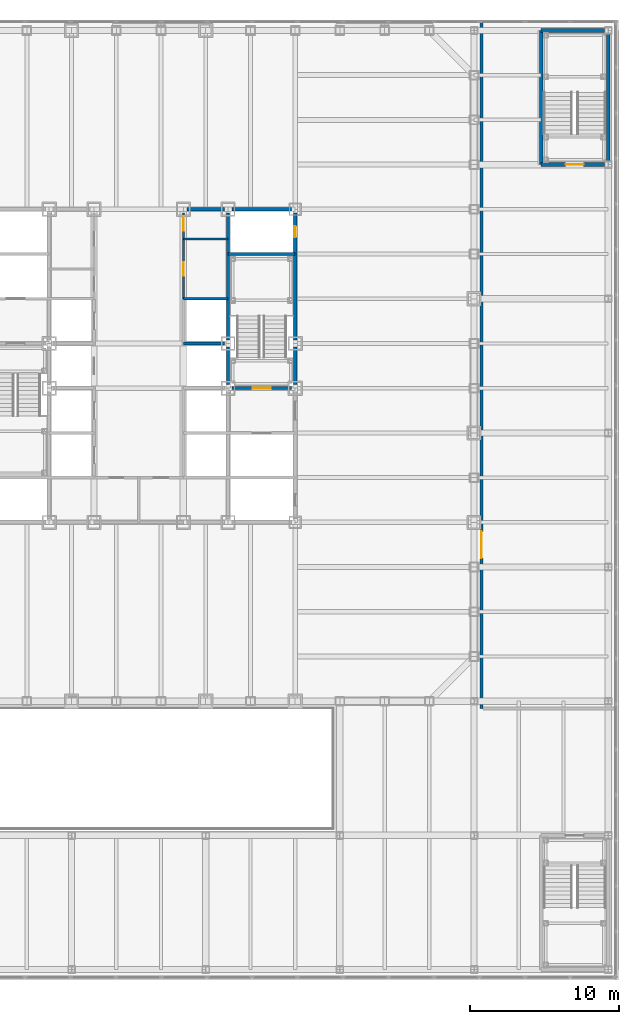
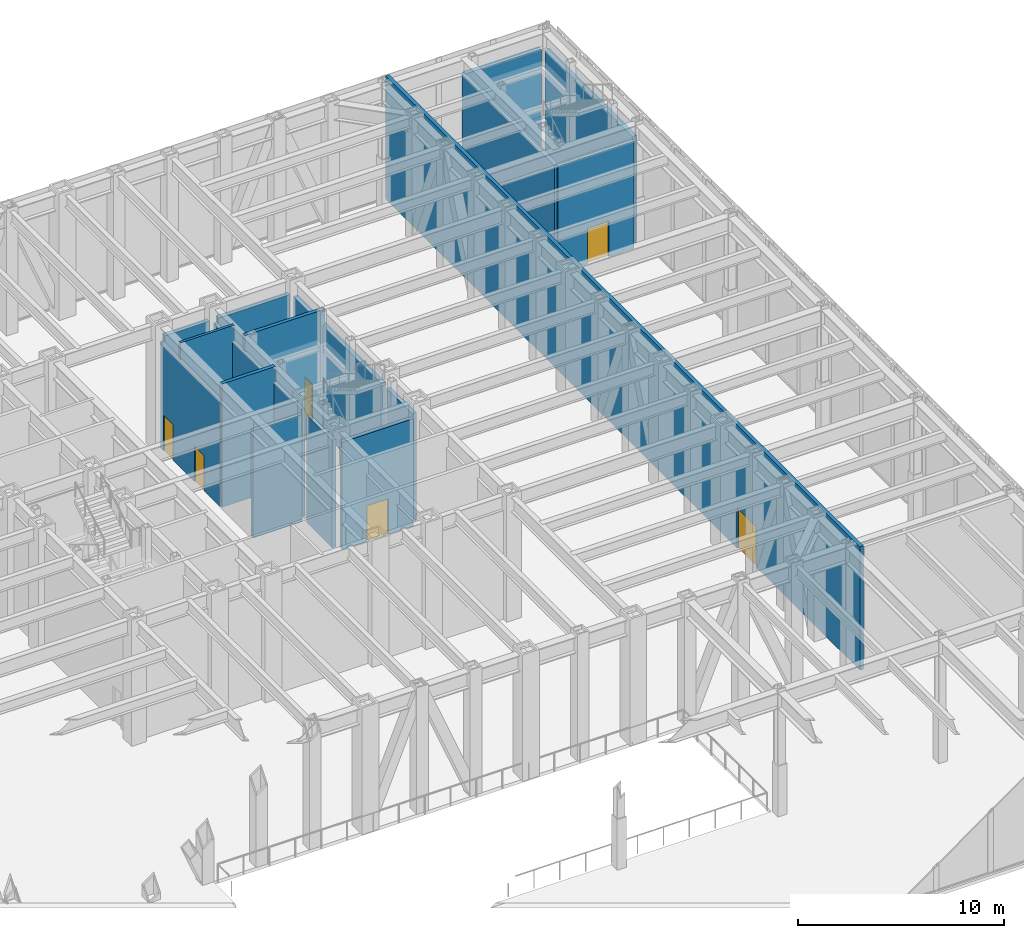
# One storey, part 17 of 34: 17 walls, 6 doors, 6 openings.
"""IFC4 building model written with IfcOpenShell, lengths in metres."""

from ifc_helpers import new_model, si_unit, direction, frame, frame_2d, origin, place, context, subcontext, project, spatial, rectangle, extrude, material, layer, layer_set, type_object, element, fill, save


model = new_model("IFC4")

# Units and contexts
model_context = context("Model", 3, precision=1e-05, world=origin(), true_north=direction((0.0, 1.0)))
body_context = subcontext(model_context, "Body", "Model", "MODEL_VIEW")
ifc_project = project(units=[si_unit("LENGTHUNIT", "METRE"), si_unit("AREAUNIT", "SQUARE_METRE"), si_unit("VOLUMEUNIT", "CUBIC_METRE"), si_unit("PLANEANGLEUNIT", "RADIAN"), si_unit("MASSUNIT", "GRAM", prefix="KILO")], contexts=[model_context])

# Site, building, storey
site_placement = place(None, origin())
site = spatial("IfcSite", under=ifc_project, at=site_placement, CompositionType="ELEMENT")
building_placement = place(site_placement, origin())
building = spatial("IfcBuilding", under=site, at=building_placement, Name="Chuquiago Exchange Tower", CompositionType="ELEMENT")
storey_placement = place(building_placement, frame((0.0, 0.0, 6.0)))
storey = spatial("IfcBuildingStorey", under=building, at=storey_placement, Name="L01", CompositionType="ELEMENT", Elevation=6.0)

# Walls
ifc_material_1 = material(Name="Concrete masonry, fully grouted", Category="masonry")
ifc_layer_1 = layer(ifc_material_1, 0.25)
ifc_layer_set_1 = layer_set([ifc_layer_1], Name="W1 core wall 250")
wall_type_1 = type_object("IfcWallType", Name="W1 core wall 250", PredefinedType="SOLIDWALL", material=ifc_layer_set_1)
wall_1_placement = place(storey_placement, frame((25.75, 33.0, 0.0), z_axis=(0.0, 0.0, 1.0), x_axis=(1.0, 0.0, 0.0)))
element("IfcWall", 1, at=wall_1_placement, inside=storey, type_object=wall_type_1, Name="CW-L01-12-0", PredefinedType="SOLIDWALL", context=body_context, shape_type="SweptSolid", body=[
    extrude(rectangle(XDim=2.5, YDim=0.25, at=frame_2d((1.25, 0.0))), origin(), (0.0, 0.0, 1.0), 6.44140625),
])
wall_2_placement = place(storey_placement, frame((28.75, 33.0, 0.0), z_axis=(0.0, 0.0, 1.0), x_axis=(1.0, 0.0, 0.0)))
element("IfcWall", 2, at=wall_2_placement, inside=storey, type_object=wall_type_1, Name="CW-L01-12-1", PredefinedType="SOLIDWALL", context=body_context, shape_type="SweptSolid", body=[
    extrude(rectangle(XDim=4.0, YDim=0.25, at=frame_2d((2.0, 0.0))), origin(), (0.0, 0.0, 1.0), 6.44140625),
])
wall_3_placement = place(storey_placement, frame((33.0, 21.25, 0.0), z_axis=(0.0, 0.0, 1.0), x_axis=(0.0, 1.0, 0.0)))
element("IfcWall", 3, at=wall_3_placement, inside=storey, type_object=wall_type_1, Name="CW-L01-25-1", PredefinedType="SOLIDWALL", context=body_context, shape_type="SweptSolid", body=[
    extrude(rectangle(XDim=2.5, YDim=0.25, at=frame_2d((1.25, 0.0))), origin(), (0.0, 0.0, 1.0), 6.372802734375),
])

# Wall, opening, door
wall_4_placement = place(storey_placement, frame((33.0, 24.25, 0.0), z_axis=(0.0, 0.0, 1.0), x_axis=(0.0, 1.0, 0.0)))
wall_4 = element("IfcWall", 4, at=wall_4_placement, inside=storey, type_object=wall_type_1, Name="CW-L01-25-2", PredefinedType="SOLIDWALL", context=body_context, shape_type="SweptSolid", body=[
    extrude(rectangle(XDim=8.5, YDim=0.25, at=frame_2d((4.25, 0.0))), origin(), (0.0, 0.0, 1.0), 6.372802734375),
])
opening_1_placement = place(wall_4_placement, frame((6.875, 0.0, 0.0)))
opening_1 = element("IfcOpeningElement", 5, at=opening_1_placement, cuts=wall_4, Name="Opening L01-010", PredefinedType="OPENING", context=body_context, shape_type="SweptSolid", body=[
    extrude(rectangle(XDim=0.75, YDim=2.10009765625, at=frame_2d((0.375, 1.050048828125))), frame((0.0, 0.135009765625, 0.0), z_axis=(0.0, -1.0, 0.0), x_axis=(1.0, 0.0, 0.0)), (0.0, 0.0, 1.0), 0.27001953125),
])
ifc_material_2 = material(Name="Steel door, painted", Category="steel")
door_type_1 = type_object("IfcDoorType", Name="D6 riser access door 750x2100", OperationType="SINGLE_SWING_LEFT", PredefinedType="DOOR", material=ifc_material_2)
door_1_placement = place(opening_1_placement, frame((0.75, 0.0, 0.0), z_axis=(0.0, 0.0, 1.0), x_axis=(-1.0, 0.0, 0.0)))
door_1 = element("IfcDoor", 6, at=door_1_placement, inside=storey, type_object=door_type_1, Name="Riser RE2 door", OperationType="SINGLE_SWING_LEFT", OverallHeight=2.10009765625, OverallWidth=0.75, PredefinedType="DOOR", context=body_context, shape_type="SweptSolid", body=[
    extrude(rectangle(XDim=0.75, YDim=2.10009765625, at=frame_2d((0.375, 1.050048828125))), frame((0.0, 0.02490234375, 0.0), z_axis=(0.0, -1.0, 0.0), x_axis=(1.0, 0.0, 0.0)), (0.0, 0.0, 1.0), 0.050048828125),
])
fill(opening_1, door_1)

ifc_material_3 = material(Name="Concrete masonry, fully grouted", Category="masonry")
ifc_layer_2 = layer(ifc_material_3, 0.25)
ifc_layer_set_2 = layer_set([ifc_layer_2], Name="W10 podium stair wall 250")
wall_type_2 = type_object("IfcWallType", Name="W10 podium stair wall 250", PredefinedType="SOLIDWALL", material=ifc_layer_set_2)
wall_5_placement = place(storey_placement, frame((49.5, 36.0, 0.0), z_axis=(0.0, 0.0, 1.0), x_axis=(1.0, 0.0, 0.0)))
wall_5 = element("IfcWall", 7, at=wall_5_placement, inside=storey, type_object=wall_type_2, Name="PSW-L01-PS4-00", PredefinedType="SOLIDWALL", context=body_context, shape_type="SweptSolid", body=[
    extrude(rectangle(XDim=4.25, YDim=0.25, at=frame_2d((2.125, 0.0))), origin(), (0.0, 0.0, 1.0), 6.3525390625),
])
opening_2_placement = place(wall_5_placement, frame((1.64990234375, 0.0, 0.0)))
opening_2 = element("IfcOpeningElement", 8, at=opening_2_placement, cuts=wall_5, Name="Opening L01-026", PredefinedType="OPENING", context=body_context, shape_type="SweptSolid", body=[
    extrude(rectangle(XDim=1.199951171875, YDim=2.10009765625, at=frame_2d((0.60009765625, 1.050048828125))), frame((0.0, 0.135009765625, 0.0), z_axis=(0.0, -1.0, 0.0), x_axis=(1.0, 0.0, 0.0)), (0.0, 0.0, 1.0), 0.27001953125),
])
ifc_material_4 = material(Name="Steel door, painted", Category="steel")
door_type_2 = type_object("IfcDoorType", Name="D4 stair door 1200x2100", OperationType="SINGLE_SWING_LEFT", PredefinedType="DOOR", material=ifc_material_4)
door_2_placement = place(opening_2_placement, origin())
door_2 = element("IfcDoor", 9, at=door_2_placement, inside=storey, type_object=door_type_2, Name="Stair PS4 door", OperationType="SINGLE_SWING_LEFT", OverallHeight=2.10009765625, OverallWidth=1.199951171875, PredefinedType="DOOR", context=body_context, shape_type="SweptSolid", body=[
    extrude(rectangle(XDim=1.199951171875, YDim=2.10009765625, at=frame_2d((0.60009765625, 1.050048828125))), frame((0.0, 0.02490234375, 0.0), z_axis=(0.0, -1.0, 0.0), x_axis=(1.0, 0.0, 0.0)), (0.0, 0.0, 1.0), 0.050048828125),
])
fill(opening_2, door_2)

# Walls
wall_6_placement = place(storey_placement, frame((54.0, 36.25, 0.0), z_axis=(0.0, 0.0, 1.0), x_axis=(0.0, 1.0, 0.0)))
element("IfcWall", 10, at=wall_6_placement, inside=storey, type_object=wall_type_2, Name="PSW-L01-PS4-10", PredefinedType="SOLIDWALL", context=body_context, shape_type="SweptSolid", body=[
    extrude(rectangle(XDim=8.5, YDim=0.25, at=frame_2d((4.25, 0.0))), origin(), (0.0, 0.0, 1.0), 6.3525390625),
])
wall_7_placement = place(storey_placement, frame((49.5, 45.0, 0.0), z_axis=(0.0, 0.0, 1.0), x_axis=(1.0, 0.0, 0.0)))
element("IfcWall", 11, at=wall_7_placement, inside=storey, type_object=wall_type_2, Name="PSW-L01-PS4-20", PredefinedType="SOLIDWALL", context=body_context, shape_type="SweptSolid", body=[
    extrude(rectangle(XDim=4.25, YDim=0.25, at=frame_2d((2.125, 0.0))), origin(), (0.0, 0.0, 1.0), 6.3525390625),
])
wall_8_placement = place(storey_placement, frame((49.5, 36.0, 0.0), z_axis=(0.0, 0.0, 1.0), x_axis=(0.0, 1.0, 0.0)))
element("IfcWall", 12, at=wall_8_placement, inside=storey, type_object=wall_type_2, Name="PSW-L01-PS4-30", PredefinedType="SOLIDWALL", context=body_context, shape_type="SweptSolid", body=[
    extrude(rectangle(XDim=9.0, YDim=0.25, at=frame_2d((4.5, 0.0))), origin(), (0.0, 0.0, 1.0), 6.3525390625),
])
ifc_material_5 = material(Name="Concrete masonry, fully grouted", Category="masonry")
ifc_layer_3 = layer(ifc_material_5, 0.199951171875)
ifc_layer_set_3 = layer_set([ifc_layer_3], Name="W2 shaft wall 200")
wall_type_3 = type_object("IfcWallType", Name="W2 shaft wall 200", PredefinedType="SOLIDWALL", material=ifc_layer_set_3)
wall_9_placement = place(storey_placement, frame((25.5, 24.0, 0.0), z_axis=(0.0, 0.0, 1.0), x_axis=(1.0, 0.0, 0.0)))
element("IfcWall", 13, at=wall_9_placement, inside=storey, type_object=wall_type_3, Name="CW-L01-06-0", PredefinedType="SOLIDWALL", context=body_context, shape_type="SweptSolid", body=[
    extrude(rectangle(XDim=2.75, YDim=0.199951171875, at=frame_2d((1.375, 0.0))), origin(), (0.0, 0.0, 1.0), 6.35009765625),
])
wall_10_placement = place(storey_placement, frame((25.5, 27.0, 0.0), z_axis=(0.0, 0.0, 1.0), x_axis=(1.0, 0.0, 0.0)))
element("IfcWall", 14, at=wall_10_placement, inside=storey, type_object=wall_type_3, Name="CW-L01-08-0", PredefinedType="SOLIDWALL", context=body_context, shape_type="SweptSolid", body=[
    extrude(rectangle(XDim=3.0, YDim=0.199951171875, at=frame_2d((1.5, 0.0))), origin(), (0.0, 0.0, 1.0), 7.300048828125),
])
wall_11_placement = place(storey_placement, frame((28.5, 30.0, 0.0), z_axis=(0.0, 0.0, 1.0), x_axis=(1.0, 0.0, 0.0)))
element("IfcWall", 15, at=wall_11_placement, inside=storey, type_object=wall_type_3, Name="CW-L01-10-0", PredefinedType="SOLIDWALL", context=body_context, shape_type="SweptSolid", body=[
    extrude(rectangle(XDim=4.5, YDim=0.199951171875, at=frame_2d((2.25, 0.0))), origin(), (0.0, 0.0, 1.0), 7.300048828125),
])

# Wall, opening, door
wall_12_placement = place(storey_placement, frame((28.75, 21.0, 0.0), z_axis=(0.0, 0.0, 1.0), x_axis=(1.0, 0.0, 0.0)))
wall_12 = element("IfcWall", 16, at=wall_12_placement, inside=storey, type_object=wall_type_3, Name="CW-L01-17-1", PredefinedType="SOLIDWALL", context=body_context, shape_type="SweptSolid", body=[
    extrude(rectangle(XDim=4.0, YDim=0.199951171875, at=frame_2d((2.0, 0.0))), origin(), (0.0, 0.0, 1.0), 6.35009765625),
])
opening_3_placement = place(wall_12_placement, frame((1.39990234375, 0.0, 0.0)))
opening_3 = element("IfcOpeningElement", 17, at=opening_3_placement, cuts=wall_12, Name="Opening L01-003", PredefinedType="OPENING", context=body_context, shape_type="SweptSolid", body=[
    extrude(rectangle(XDim=1.199951171875, YDim=2.10009765625, at=frame_2d((0.60009765625, 1.050048828125))), frame((0.0, 0.10986328125, 0.0), z_axis=(0.0, -1.0, 0.0), x_axis=(1.0, 0.0, 0.0)), (0.0, 0.0, 1.0), 0.219970703125),
])
door_3_placement = place(opening_3_placement, origin())
door_3 = element("IfcDoor", 18, at=door_3_placement, inside=storey, type_object=door_type_2, Name="Stair ST2 door", OperationType="SINGLE_SWING_LEFT", OverallHeight=2.10009765625, OverallWidth=1.199951171875, PredefinedType="DOOR", context=body_context, shape_type="SweptSolid", body=[
    extrude(rectangle(XDim=1.199951171875, YDim=2.10009765625, at=frame_2d((0.60009765625, 1.050048828125))), frame((0.0, 0.02490234375, 0.0), z_axis=(0.0, -1.0, 0.0), x_axis=(1.0, 0.0, 0.0)), (0.0, 0.0, 1.0), 0.050048828125),
])
fill(opening_3, door_3)

# Walls
wall_13_placement = place(storey_placement, frame((28.5, 21.25, 0.0), z_axis=(0.0, 0.0, 1.0), x_axis=(0.0, 1.0, 0.0)))
element("IfcWall", 19, at=wall_13_placement, inside=storey, type_object=wall_type_3, Name="CW-L01-24-1", PredefinedType="SOLIDWALL", context=body_context, shape_type="SweptSolid", body=[
    extrude(rectangle(XDim=2.5, YDim=0.199951171875, at=frame_2d((1.25, 0.0))), origin(), (0.0, 0.0, 1.0), 6.372802734375),
])
wall_14_placement = place(storey_placement, frame((28.5, 24.25, 0.0), z_axis=(0.0, 0.0, 1.0), x_axis=(0.0, 1.0, 0.0)))
element("IfcWall", 20, at=wall_14_placement, inside=storey, type_object=wall_type_3, Name="CW-L01-24-2", PredefinedType="SOLIDWALL", context=body_context, shape_type="SweptSolid", body=[
    extrude(rectangle(XDim=8.5, YDim=0.199951171875, at=frame_2d((4.25, 0.0))), origin(), (0.0, 0.0, 1.0), 6.372802734375),
])

# Wall, openings, doors
ifc_material_6 = material(Name="Gypsum board on steel studs", Category="steel")
ifc_layer_4 = layer(ifc_material_6, 0.14990234375)
ifc_layer_set_4 = layer_set([ifc_layer_4], Name="W3 core partition 150")
wall_type_4 = type_object("IfcWallType", Name="W3 core partition 150", PredefinedType="PARTITIONING", material=ifc_layer_set_4)
wall_15_placement = place(storey_placement, frame((25.5, 27.0, 0.0), z_axis=(0.0, 0.0, 1.0), x_axis=(0.0, 1.0, 0.0)))
wall_15 = element("IfcWall", 21, at=wall_15_placement, inside=storey, type_object=wall_type_4, Name="CW-L01-23-0", PredefinedType="PARTITIONING", context=body_context, shape_type="SweptSolid", body=[
    extrude(rectangle(XDim=5.75, YDim=0.14990234375, at=frame_2d((2.875, 0.0))), origin(), (0.0, 0.0, 1.0), 6.32470703125),
])
opening_4_placement = place(wall_15_placement, frame((1.550048828125, 0.0, 0.0)))
opening_4 = element("IfcOpeningElement", 22, at=opening_4_placement, cuts=wall_15, Name="Opening L01-013", PredefinedType="OPENING", context=body_context, shape_type="SweptSolid", body=[
    extrude(rectangle(XDim=0.89990234375, YDim=2.10009765625, at=frame_2d((0.449951171875, 1.050048828125))), frame((0.0, 0.0849609375, 0.0), z_axis=(0.0, -1.0, 0.0), x_axis=(1.0, 0.0, 0.0)), (0.0, 0.0, 1.0), 0.169921875),
])
opening_5_placement = place(wall_15_placement, frame((4.550048828125, 0.0, 0.0)))
opening_5 = element("IfcOpeningElement", 23, at=opening_5_placement, cuts=wall_15, Name="Opening L01-014", PredefinedType="OPENING", context=body_context, shape_type="SweptSolid", body=[
    extrude(rectangle(XDim=0.89990234375, YDim=2.10009765625, at=frame_2d((0.449951171875, 1.050048828125))), frame((0.0, 0.0849609375, 0.0), z_axis=(0.0, -1.0, 0.0), x_axis=(1.0, 0.0, 0.0)), (0.0, 0.0, 1.0), 0.169921875),
])
ifc_material_7 = material(Name="Timber door, laminate faced", Category="wood")
door_type_3 = type_object("IfcDoorType", Name="D16 core room door 900x2100", OperationType="SINGLE_SWING_LEFT", PredefinedType="DOOR", material=ifc_material_7)
door_4_placement = place(opening_5_placement, frame((0.89990234375, 0.0, 0.0), z_axis=(0.0, 0.0, 1.0), x_axis=(-1.0, 0.0, 0.0)))
door_4 = element("IfcDoor", 24, at=door_4_placement, inside=storey, type_object=door_type_3, Name="Staff shower room door", OperationType="SINGLE_SWING_LEFT", OverallHeight=2.10009765625, OverallWidth=0.89990234375, PredefinedType="DOOR", context=body_context, shape_type="SweptSolid", body=[
    extrude(rectangle(XDim=0.89990234375, YDim=2.10009765625, at=frame_2d((0.449951171875, 1.050048828125))), frame((0.0, 0.02490234375, 0.0), z_axis=(0.0, -1.0, 0.0), x_axis=(1.0, 0.0, 0.0)), (0.0, 0.0, 1.0), 0.050048828125),
])
fill(opening_5, door_4)
ifc_material_8 = material(Name="Timber door, laminate faced", Category="wood")
door_type_4 = type_object("IfcDoorType", Name="D7 toilet door 900x2100", OperationType="SINGLE_SWING_LEFT", PredefinedType="DOOR", material=ifc_material_8)
door_5_placement = place(opening_4_placement, frame((0.89990234375, 0.0, 0.0), z_axis=(0.0, 0.0, 1.0), x_axis=(-1.0, 0.0, 0.0)))
door_5 = element("IfcDoor", 25, at=door_5_placement, inside=storey, type_object=door_type_4, Name="Female WC door", OperationType="SINGLE_SWING_RIGHT", OverallHeight=2.10009765625, OverallWidth=0.89990234375, PredefinedType="DOOR", context=body_context, shape_type="SweptSolid", body=[
    extrude(rectangle(XDim=0.89990234375, YDim=2.10009765625, at=frame_2d((0.449951171875, 1.050048828125))), frame((0.0, 0.02490234375, 0.0), z_axis=(0.0, -1.0, 0.0), x_axis=(1.0, 0.0, 0.0)), (0.0, 0.0, 1.0), 0.050048828125),
])
fill(opening_4, door_5)

# Wall
wall_16_placement = place(storey_placement, frame((25.5, 31.0, 0.0), z_axis=(0.0, 0.0, 1.0), x_axis=(1.0, 0.0, 0.0)))
element("IfcWall", 26, at=wall_16_placement, inside=storey, type_object=wall_type_4, Name="CW-L01-WCFS", PredefinedType="PARTITIONING", context=body_context, shape_type="SweptSolid", body=[
    extrude(rectangle(XDim=3.0, YDim=0.14990234375, at=frame_2d((1.5, 0.0))), origin(), (0.0, 0.0, 1.0), 7.300048828125),
])

# Wall, opening, door
ifc_material_9 = material(Name="Gypsum board on steel studs, double layer", Category="steel")
ifc_layer_5 = layer(ifc_material_9, 0.199951171875)
ifc_layer_set_5 = layer_set([ifc_layer_5], Name="W6 wing partition 200")
wall_type_5 = type_object("IfcWallType", Name="W6 wing partition 200", PredefinedType="PARTITIONING", material=ifc_layer_set_5)
wall_17_placement = place(storey_placement, frame((45.5, -0.5, 0.0), z_axis=(0.0, 0.0, 1.0), x_axis=(0.0, 1.0, 0.0)))
wall_17 = element("IfcWall", 27, at=wall_17_placement, inside=storey, type_object=wall_type_5, Name="WW-L01-E", PredefinedType="PARTITIONING", context=body_context, shape_type="SweptSolid", body=[
    extrude(rectangle(XDim=46.017578125, YDim=0.199951171875, at=frame_2d((23.0087890625, 0.0))), origin(), (0.0, 0.0, 1.0), 7.300048828125),
])
opening_6_placement = place(wall_17_placement, frame((10.10009765625, 0.0, 0.0)))
opening_6 = element("IfcOpeningElement", 28, at=opening_6_placement, cuts=wall_17, Name="Opening L01-022", PredefinedType="OPENING", context=body_context, shape_type="SweptSolid", body=[
    extrude(rectangle(XDim=1.800048828125, YDim=2.39990234375, at=frame_2d((0.89990234375, 1.199951171875))), frame((0.0, 0.10986328125, 0.0), z_axis=(0.0, -1.0, 0.0), x_axis=(1.0, 0.0, 0.0)), (0.0, 0.0, 1.0), 0.219970703125),
])
ifc_material_10 = material(Name="Timber door, laminate faced", Category="wood")
door_type_5 = type_object("IfcDoorType", Name="D10 double door 1800x2400", OperationType="DOUBLE_DOOR_DOUBLE_SWING", PredefinedType="DOOR", material=ifc_material_10)
door_6_placement = place(opening_6_placement, origin())
door_6 = element("IfcDoor", 29, at=door_6_placement, inside=storey, type_object=door_type_5, Name="Media centre door", OperationType="DOUBLE_DOOR_DOUBLE_SWING", OverallHeight=2.39990234375, OverallWidth=1.800048828125, PredefinedType="DOOR", context=body_context, shape_type="SweptSolid", body=[
    extrude(rectangle(XDim=1.800048828125, YDim=2.39990234375, at=frame_2d((0.89990234375, 1.199951171875))), frame((0.0, 0.02490234375, 0.0), z_axis=(0.0, -1.0, 0.0), x_axis=(1.0, 0.0, 0.0)), (0.0, 0.0, 1.0), 0.050048828125),
])
fill(opening_6, door_6)

save(model, "model.ifc")
